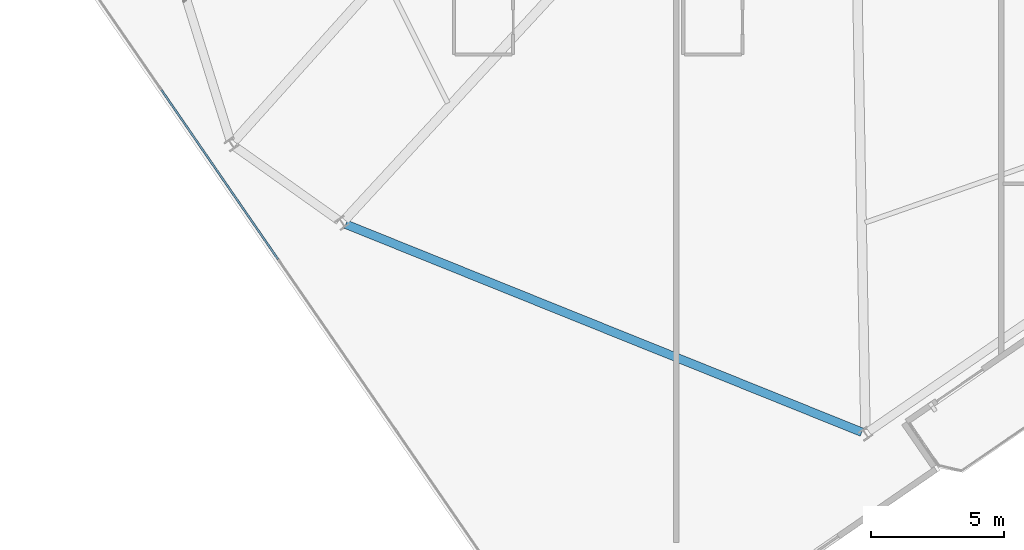
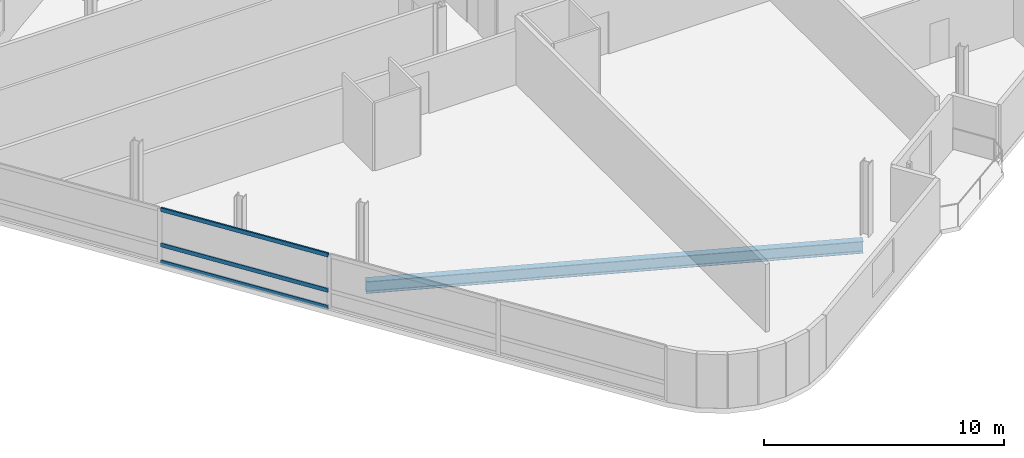
# One storey, part 4 of 21: 3 members, 1 beam, 1 element without a shape of its own.
"""IFC4 building model written with IfcOpenShell, lengths in metres."""

from ifc_helpers import new_model, si_unit, direction, frame, origin, origin_2d, place, context, subcontext, project, spatial, hollow_rectangle, i_section, extrude, material, layer, layer_set, material_profile, profile_set, type_object, element, aggregate, save


model = new_model("IFC4")

# Units and contexts
model_context = context("Model", 3, precision=1e-05, world=origin(), true_north=direction((0.0, 1.0)))
body_context = subcontext(model_context, "Body", "Model", "MODEL_VIEW")
ifc_project = project(units=[si_unit("LENGTHUNIT", "METRE"), si_unit("AREAUNIT", "SQUARE_METRE"), si_unit("VOLUMEUNIT", "CUBIC_METRE"), si_unit("PLANEANGLEUNIT", "RADIAN"), si_unit("MASSUNIT", "GRAM", prefix="KILO")], contexts=[model_context])

# Site, building, storey
site_placement = place(None, origin())
site = spatial("IfcSite", under=ifc_project, at=site_placement, CompositionType="ELEMENT")
building_placement = place(site_placement, origin())
building = spatial("IfcBuilding", under=site, at=building_placement, Name="Varnelok Gate Tower", CompositionType="ELEMENT")
storey_placement = place(building_placement, frame((0.0, 0.0, 276.699951171875)))
storey = spatial("IfcBuildingStorey", under=building, at=storey_placement, Name="L71", CompositionType="ELEMENT", Elevation=276.699951171875)

# Beam
ifc_material_1 = material(Name="Structural Steel ASTM A992 Grade 50", Category="steel")
ifc_material_profile_1 = material_profile(ifc_material_1, i_section(OverallWidth=0.323974609375, OverallDepth=0.611083984375, WebThickness=0.0126953125, FlangeThickness=0.01904296875, FilletRadius=0.01806640625, at=origin_2d()), Name="W24X104")
ifc_profile_set_1 = profile_set([ifc_material_profile_1], Name="Structural Steel ASTM A992 Grade 50")
beam_type = type_object("IfcBeamType", Name="BM-SPN-W24X104", PredefinedType="SPANDREL", material=ifc_profile_set_1)
beam_placement = place(storey_placement, frame((14.581787109375, 7.94775390625, -0.555419921875), z_axis=(0.927546574087, -0.373707576722, 0.0), x_axis=(0.373707576722, 0.927546574087, 0.0)))
element("IfcBeam", 1, at=beam_placement, inside=storey, type_object=beam_type, Name="L71 Perimeter Spandrel Beam 16", PredefinedType="SPANDREL", context=body_context, shape_type="SweptSolid", body=[
    extrude(i_section(OverallWidth=0.323974609375, OverallDepth=0.611083984375, WebThickness=0.0126953125, FlangeThickness=0.01904296875, FilletRadius=0.01806640625, at=origin_2d()), origin(), (0.0, 0.0, 1.0), 20.90087890625),
])

# Curtain wall, members
ifc_material_2 = material(Name="Anodized Aluminum Alloy 6063-T6", Category="aluminium")
ifc_layer = layer(ifc_material_2, 0.179931640625)
ifc_layer_set = layer_set([ifc_layer], Name="Anodized Aluminum Alloy 6063-T6")
curtain_wall_type = type_object("IfcCurtainWallType", Name="CW4-RESIDENCE-VISION", PredefinedType="USERDEFINED", material=ifc_layer_set)
curtain_wall_placement = place(storey_placement, origin())
curtain_wall = element("IfcCurtainWall", 2, at=curtain_wall_placement, inside=storey, type_object=curtain_wall_type, Name="L71 West End Vision Curtain Wall", ObjectType="UNITISED CURTAIN WALL", PredefinedType="USERDEFINED")
ifc_material_profile_2 = material_profile(ifc_material_2, hollow_rectangle(XDim=0.074951171875, YDim=0.199951171875, WallThickness=0.00390625, at=origin_2d()), Name="ALU200X75X4")
ifc_profile_set_2 = profile_set([ifc_material_profile_2], Name="Anodized Aluminum Alloy 6063-T6")
member_type = type_object("IfcMemberType", Name="CW-TRAN-200", PredefinedType="USERDEFINED", material=ifc_profile_set_2)
member_1_placement = place(storey_placement, frame((12.03515625, 6.6337890625, 0.03759765625), z_axis=(-0.567275705555, 0.823527943598, 0.0), x_axis=(-0.823527943598, -0.567275705555, 0.0)))
member_1 = element("IfcMember", 3, at=member_1_placement, type_object=member_type, Name="CW4 transom 3.1", ObjectType="TRANSOM", PredefinedType="USERDEFINED", context=body_context, shape_type="SweptSolid", body=[
    extrude(hollow_rectangle(XDim=0.074951171875, YDim=0.199951171875, WallThickness=0.00390625, at=origin_2d()), origin(), (0.0, 0.0, 1.0), 7.724853515625),
])
member_2_placement = place(storey_placement, frame((12.03515625, 6.6337890625, 0.900146484375), z_axis=(-0.567275705555, 0.823527943598, 0.0), x_axis=(-0.823527943598, -0.567275705555, 0.0)))
member_2 = element("IfcMember", 4, at=member_2_placement, type_object=member_type, Name="CW4 transom 3.2", ObjectType="TRANSOM", PredefinedType="USERDEFINED", context=body_context, shape_type="SweptSolid", body=[
    extrude(hollow_rectangle(XDim=0.074951171875, YDim=0.199951171875, WallThickness=0.00390625, at=origin_2d()), origin(), (0.0, 0.0, 1.0), 7.724853515625),
])
member_3_placement = place(storey_placement, frame((12.03515625, 6.6337890625, 2.692626953125), z_axis=(-0.567275705555, 0.823527943598, 0.0), x_axis=(-0.823527943598, -0.567275705555, 0.0)))
member_3 = element("IfcMember", 5, at=member_3_placement, type_object=member_type, Name="CW4 transom 3.3", ObjectType="TRANSOM", PredefinedType="USERDEFINED", context=body_context, shape_type="SweptSolid", body=[
    extrude(hollow_rectangle(XDim=0.074951171875, YDim=0.199951171875, WallThickness=0.00390625, at=origin_2d()), origin(), (0.0, 0.0, 1.0), 7.724853515625),
])
aggregate(curtain_wall, [member_1, member_2, member_3])

save(model, "model.ifc")
